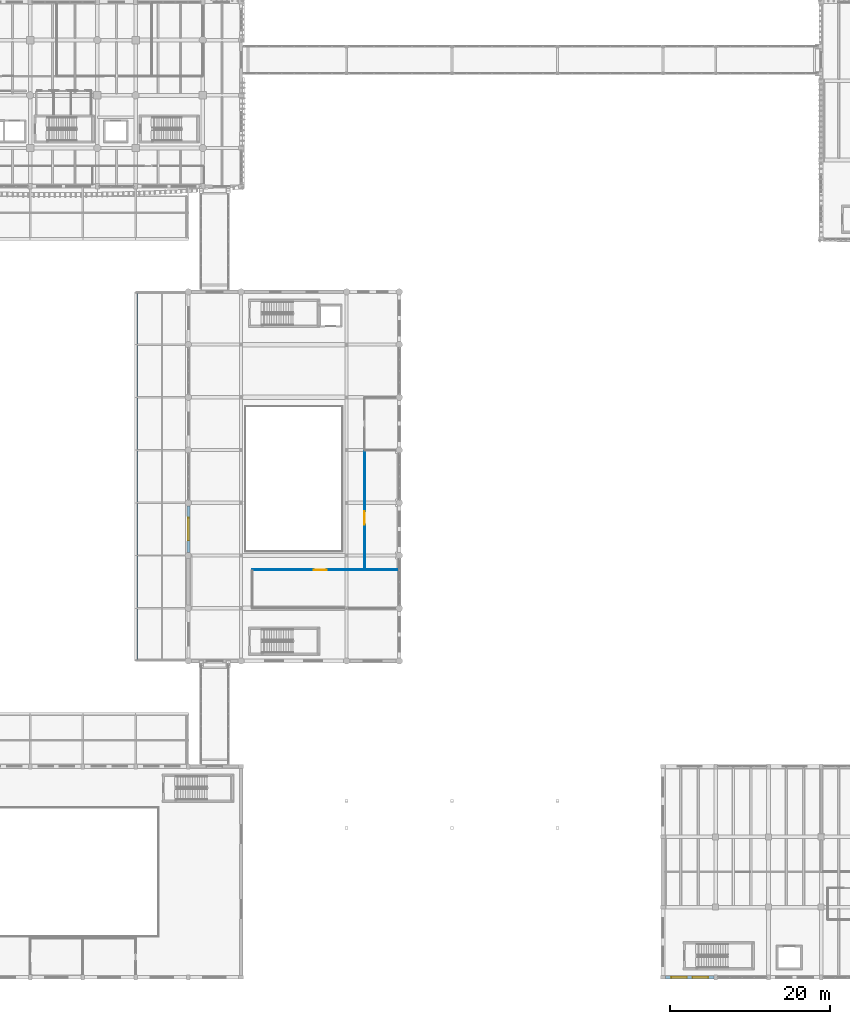
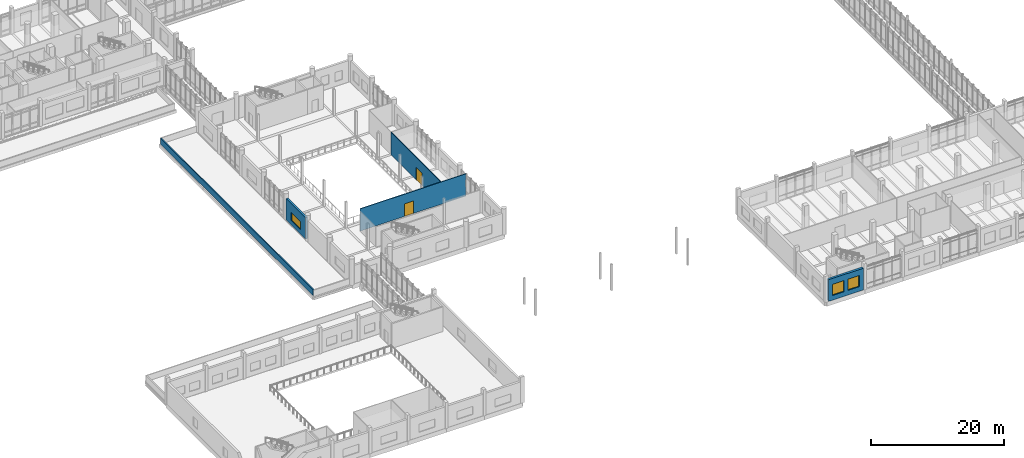
# One storey, part 88 of 125: 5 walls, 3 windows, 2 doors, 5 openings.
"""IFC4 building model written with IfcOpenShell, lengths in metres."""

import ifcopenshell
import ifcopenshell.guid

model = None  # the IFC model being written
_history = None  # IfcOwnerHistory: only IFC2X3 demands one
_inside = {}  # id of a spatial element -> (the spatial element, [elements in it])
_under = {}  # id of a project, library or spatial element -> (it, [spatial elements below it])
_declared = {}  # id of a project -> (the project, [libraries it declares])
_typed = {}  # id of a type object -> (the type object, [elements of that type])
_made_of = {}  # id of a material, layer set ... -> (it, [elements and type objects made of it])


def new_model(schema):
    """Start an empty IFC model of exactly this schema.

    Asked for "IFC4X3", IfcOpenShell would pick the latest addendum, in which some entities
    have other attributes; the version numbers below select the first issue.
    IFC2X3 requires an IfcOwnerHistory on every rooted entity: one is made here for all.
    """
    global model, _history
    if schema == "IFC4X3":
        model = ifcopenshell.file(schema_version=(4, 3, 0, 0))
    else:
        model = ifcopenshell.file(schema=schema)
    _inside.clear()
    _under.clear()
    _declared.clear()
    _typed.clear()
    _made_of.clear()
    _history = None
    if model.schema == "IFC2X3":
        org = make("IfcOrganization", Name="unknown")
        user = make(
            "IfcPersonAndOrganization",
            ThePerson=make("IfcPerson", FamilyName="unknown"),
            TheOrganization=org,
        )
        app = make(
            "IfcApplication",
            ApplicationDeveloper=org,
            Version="unknown",
            ApplicationFullName="unknown",
            ApplicationIdentifier="unknown",
        )
        _history = make(
            "IfcOwnerHistory",
            OwningUser=user,
            OwningApplication=app,
            ChangeAction="ADDED",
            CreationDate=0,
        )
    return model


def make(cls, **values):
    """One entity of the class cls with the attributes given. An attribute that is None is left unset."""
    return model.create_entity(
        cls, **{name: value for name, value in values.items() if value is not None}
    )


def rooted(cls, **values):
    """An entity with a GlobalId (a new one), such as an element, a storey or a relation."""
    return make(cls, GlobalId=ifcopenshell.guid.new(), OwnerHistory=_history, **values)


def si_unit(unit_type, name, prefix=None):
    """IfcSIUnit, for example si_unit("LENGTHUNIT", "METRE", prefix="MILLI")."""
    return make("IfcSIUnit", UnitType=unit_type, Prefix=prefix, Name=name)


def assignment(units):
    """IfcUnitAssignment: the units of a project."""
    return None if units is None else make("IfcUnitAssignment", Units=units)


def point(xyz):
    """IfcCartesianPoint."""
    return None if xyz is None else make("IfcCartesianPoint", Coordinates=xyz)


def direction(xyz):
    """IfcDirection."""
    return None if xyz is None else make("IfcDirection", DirectionRatios=xyz)


def frame(location, z_axis=None, x_axis=None):
    """IfcAxis2Placement3D, a coordinate frame: its origin and axes. An axis left out is left unset."""
    return make(
        "IfcAxis2Placement3D",
        Location=point(location),
        Axis=direction(z_axis),
        RefDirection=direction(x_axis),
    )


def frame_2d(location, x_axis=None):
    """IfcAxis2Placement2D, a coordinate frame in the plane: its origin and x axis."""
    return make(
        "IfcAxis2Placement2D", Location=point(location), RefDirection=direction(x_axis)
    )


def origin():
    """The frame at (0, 0, 0) with its axes left unset."""
    return frame((0.0, 0.0, 0.0))


def place(relative_to, where):
    """IfcLocalPlacement: puts the frame where relative to a parent placement (None: the world)."""
    return make(
        "IfcLocalPlacement", PlacementRelTo=relative_to, RelativePlacement=where
    )


def context(
    kind, dimensions, precision=None, world=None, true_north=None, identifier=None
):
    """IfcGeometricRepresentationContext, for example the 3D "Model" context."""
    return make(
        "IfcGeometricRepresentationContext",
        ContextIdentifier=identifier,
        ContextType=kind,
        CoordinateSpaceDimension=dimensions,
        Precision=precision,
        WorldCoordinateSystem=world,
        TrueNorth=true_north,
    )


def subcontext(parent, identifier, kind, view, scale=None):
    """IfcGeometricRepresentationSubContext, for example "Body" below "Model"."""
    return make(
        "IfcGeometricRepresentationSubContext",
        ContextIdentifier=identifier,
        ContextType=kind,
        ParentContext=parent,
        TargetScale=scale,
        TargetView=view,
    )


def project(units=None, contexts=None):
    """IfcProject with its units and contexts."""
    return rooted(
        "IfcProject",
        Name="project",
        RepresentationContexts=contexts,
        UnitsInContext=assignment(units),
    )


def spatial(cls, under=None, at=None, **own):
    """A site, building, storey or space (cls), placed at a placement, below another one or the project."""
    s = rooted(cls, ObjectPlacement=at, **own)
    if under is not None:
        _under.setdefault(under.id(), (under, []))[1].append(s)
    return s


def profile(cls, at=None, kind="AREA", **sizes):
    """A parametric profile (cls). Its sizes go by their IFC names, for example OverallWidth=200.0."""
    return make(cls, ProfileType=kind, Position=at, **sizes)


def rectangle(**sizes):
    """IfcRectangleProfileDef."""
    return profile("IfcRectangleProfileDef", **sizes)


def extrude(swept, where, along, depth):
    """IfcExtrudedAreaSolid: the profile swept, set in the frame where, extruded along a direction by depth."""
    return make(
        "IfcExtrudedAreaSolid",
        SweptArea=swept,
        Position=where,
        ExtrudedDirection=direction(along),
        Depth=depth,
    )


def shape(context_of_items, identifier, shape_type, items):
    """IfcShapeRepresentation: the items that make up one representation, for example the "Body"."""
    return make(
        "IfcShapeRepresentation",
        ContextOfItems=context_of_items,
        RepresentationIdentifier=identifier,
        RepresentationType=shape_type,
        Items=items,
    )


def material(Name=None, Category=None):
    """IfcMaterial."""
    return make("IfcMaterial", Name=Name, Category=Category)


def layer(
    of_material, thickness, ventilated=None, Name=None, Category=None, Priority=None
):
    """IfcMaterialLayer: one layer of a wall or slab, of a material (None: an air gap)."""
    return make(
        "IfcMaterialLayer",
        Material=of_material,
        LayerThickness=thickness,
        IsVentilated=ventilated,
        Name=Name,
        Category=Category,
        Priority=Priority,
    )


def layer_set(layers, Name=None):
    """IfcMaterialLayerSet."""
    return make("IfcMaterialLayerSet", MaterialLayers=layers, LayerSetName=Name)


def made_of(thing, what):
    """Note that an element or type object is made of a material, layer set ...; save() writes the relation."""
    if what is not None:
        _made_of.setdefault(what.id(), (what, []))[1].append(thing)
    return thing


def type_object(cls, material=None, **own):
    """A type object (cls), such as IfcWallType, which elements share."""
    return made_of(rooted(cls, **own), material)


def element(
    cls,
    number,
    at=None,
    inside=None,
    cuts=None,
    type_object=None,
    material=None,
    context=None,
    identifier="Body",
    shape_type=None,
    held_by="IfcProductDefinitionShape",
    body=None,
    shapes=None,
    **own,
):
    """One element of the class cls, such as IfcWall. Its Tag is "e" and its number.

    at: its placement. inside: the storey or other place that contains it. cuts: it is an
    opening in that element (IfcRelVoidsElement). A single representation is given by context,
    identifier, shape_type and body (its items); several are given by shapes. held_by: the class
    of the entity that holds the representations. save() writes the other relations.
    """
    e = rooted(cls, Tag="e%d" % number, ObjectPlacement=at, **own)
    if body is not None:
        shapes = [shape(context, identifier, shape_type, body)]
    if shapes is not None:
        e.Representation = make(held_by, Representations=shapes)
    if inside is not None:
        _inside.setdefault(inside.id(), (inside, []))[1].append(e)
    if cuts is not None:
        rooted(
            "IfcRelVoidsElement", RelatingBuildingElement=cuts, RelatedOpeningElement=e
        )
    if type_object is not None:
        _typed.setdefault(type_object.id(), (type_object, []))[1].append(e)
    return made_of(e, material)


def fill(opening, filler):
    """IfcRelFillsElement: the door or window that sits in an opening."""
    return rooted(
        "IfcRelFillsElement",
        RelatingOpeningElement=opening,
        RelatedBuildingElement=filler,
    )


def aggregate(whole, parts):
    """IfcRelAggregates: a whole, such as a stair, and the parts it consists of."""
    return rooted("IfcRelAggregates", RelatingObject=whole, RelatedObjects=parts)


def save(model, path):
    """Write the relations noted so far, then the file.

    IfcRelAggregates (storeys below a building ...), IfcRelContainedInSpatialStructure (elements
    in a storey), IfcRelDefinesByType, IfcRelAssociatesMaterial and IfcRelDeclares: one each for
    every whole, place, type object, material and project.
    """
    for whole, parts in _under.values():
        aggregate(whole, parts)
    for where, things in _inside.values():
        rooted(
            "IfcRelContainedInSpatialStructure",
            RelatedElements=things,
            RelatingStructure=where,
        )
    for kind, things in _typed.values():
        rooted("IfcRelDefinesByType", RelatedObjects=things, RelatingType=kind)
    for what, things in _made_of.values():
        rooted("IfcRelAssociatesMaterial", RelatedObjects=things, RelatingMaterial=what)
    for by, libraries in _declared.values():
        rooted("IfcRelDeclares", RelatingContext=by, RelatedDefinitions=libraries)
    model.write(path)


model = new_model("IFC4")

# Units and contexts
model_context = context("Model", 3, precision=1e-05, world=origin(), true_north=direction((0.0, 1.0)))
body_context = subcontext(model_context, "Body", "Model", "MODEL_VIEW")
ifc_project = project(units=[si_unit("LENGTHUNIT", "METRE"), si_unit("AREAUNIT", "SQUARE_METRE"), si_unit("VOLUMEUNIT", "CUBIC_METRE"), si_unit("PLANEANGLEUNIT", "RADIAN"), si_unit("MASSUNIT", "GRAM", prefix="KILO")], contexts=[model_context])

# Site, building, storey
site_placement = place(None, origin())
site = spatial("IfcSite", under=ifc_project, at=site_placement, CompositionType="ELEMENT")
building_placement = place(site_placement, origin())
building = spatial("IfcBuilding", under=site, at=building_placement, Name="Dornvale Research Institute", CompositionType="ELEMENT")
storey_placement = place(building_placement, frame((0.0, 0.0, 5.39990234375)))
storey = spatial("IfcBuildingStorey", under=building, at=storey_placement, Name="L01", CompositionType="ELEMENT", Elevation=5.39990234375)

# Wall
ifc_material_1 = material(Name="Concrete f'c 40 MPa (C32/40)", Category="concrete")
ifc_layer_1 = layer(ifc_material_1, 0.179931640625)
ifc_layer_set_1 = layer_set([ifc_layer_1], Name="Concrete f'c 40 MPa (C32/40)")
wall_type_1 = type_object("IfcWallType", Name="Parapet_Terrace_180", PredefinedType="PARAPET", material=ifc_layer_set_1)
wall_1_placement = place(storey_placement, frame((33.090087890625, 39.780029296875, 0.0), z_axis=(0.0, 0.0, 1.0), x_axis=(0.0, 1.0, 0.0)))
element("IfcWall", 1, at=wall_1_placement, inside=storey, type_object=wall_type_1, Name="L01 V6-E parapet W", PredefinedType="PARAPET", context=body_context, shape_type="SweptSolid", body=[
    extrude(rectangle(XDim=45.840087890625, YDim=0.179931640625, at=frame_2d((22.919921875, 0.0))), origin(), (0.0, 0.0, 1.0), 1.1201171875),
])

# Wall, opening, door
ifc_material_2 = material(Name="Acoustic Insulated Double-Stud Laboratory Partition")
ifc_layer_2 = layer(ifc_material_2, 0.1201171875)
ifc_layer_set_2 = layer_set([ifc_layer_2], Name="Acoustic Insulated Double-Stud Laboratory Partition")
wall_type_2 = type_object("IfcWallType", Name="Partition_Dry_120", PredefinedType="PARTITIONING", material=ifc_layer_set_2)
wall_2_placement = place(storey_placement, frame((47.60009765625, 51.0, 0.0), z_axis=(0.0, 0.0, 1.0), x_axis=(1.0, 0.0, 0.0)))
wall_2 = element("IfcWall", 2, at=wall_2_placement, inside=storey, type_object=wall_type_2, Name="L01 V2 interior partition #226", PredefinedType="PARTITIONING", context=body_context, shape_type="SweptSolid", body=[
    extrude(rectangle(XDim=18.35986328125, YDim=0.1201171875, at=frame_2d((9.179931640625, 0.0))), origin(), (0.0, 0.0, 1.0), 4.080078125),
])
opening_1_placement = place(wall_2_placement, frame((7.7099609375, 0.0, 0.0)))
opening_1 = element("IfcOpeningElement", 3, at=opening_1_placement, cuts=wall_2, Name="Opening ID-18", PredefinedType="OPENING", context=body_context, shape_type="SweptSolid", body=[
    extrude(rectangle(XDim=1.580078125, YDim=2.300048828125, at=frame_2d((0.7900390625, 1.14990234375))), frame((0.0, 0.074951171875, 0.0), z_axis=(0.0, -1.0, 0.0), x_axis=(1.0, 0.0, 0.0)), (0.0, 0.0, 1.0), 0.150146484375),
])
ifc_material_3 = material(Name="Phenolic-Faced Solid-Core Laboratory Door Assembly")
door_type_1 = type_object("IfcDoorType", Name="Door_Collab_1580x2300", OperationType="SINGLE_SWING_LEFT", PredefinedType="DOOR", material=ifc_material_3)
door_1_placement = place(opening_1_placement, origin())
door_1 = element("IfcDoor", 4, at=door_1_placement, inside=storey, type_object=door_type_1, Name="L01 Interdisciplinary Collaboratory L01-South door #90", OperationType="SINGLE_SWING_LEFT", OverallHeight=2.300048828125, OverallWidth=1.580078125, PredefinedType="DOOR", context=body_context, shape_type="SweptSolid", body=[
    extrude(rectangle(XDim=1.580078125, YDim=2.300048828125, at=frame_2d((0.7900390625, 1.14990234375))), frame((0.0, 0.02490234375, 0.0), z_axis=(0.0, -1.0, 0.0), x_axis=(1.0, 0.0, 0.0)), (0.0, 0.0, 1.0), 0.050048828125),
])
fill(opening_1, door_1)

wall_3_placement = place(storey_placement, frame((61.64990234375, 51.074951171875, 0.0), z_axis=(0.0, 0.0, 1.0), x_axis=(0.0, 1.0, 0.0)))
wall_3 = element("IfcWall", 5, at=wall_3_placement, inside=storey, type_object=wall_type_2, Name="L01 V2 interior partition #229", PredefinedType="PARTITIONING", context=body_context, shape_type="SweptSolid", body=[
    extrude(rectangle(XDim=14.85009765625, YDim=0.1201171875, at=frame_2d((7.425048828125, 0.0))), origin(), (0.0, 0.0, 1.0), 4.130126953125),
])
opening_2_placement = place(wall_3_placement, frame((5.5849609375, 0.0, 0.0)))
opening_2 = element("IfcOpeningElement", 6, at=opening_2_placement, cuts=wall_3, Name="Opening ID-11", PredefinedType="OPENING", context=body_context, shape_type="SweptSolid", body=[
    extrude(rectangle(XDim=1.679931640625, YDim=2.300048828125, at=frame_2d((0.83984375, 1.14990234375))), frame((0.0, 0.074951171875, 0.0), z_axis=(0.0, -1.0, 0.0), x_axis=(1.0, 0.0, 0.0)), (0.0, 0.0, 1.0), 0.150146484375),
])
ifc_material_4 = material(Name="Phenolic-Faced Solid-Core Laboratory Door Assembly")
door_type_2 = type_object("IfcDoorType", Name="Door_Seminar_1680x2300", OperationType="SINGLE_SWING_LEFT", PredefinedType="DOOR", material=ifc_material_4)
door_2_placement = place(opening_2_placement, origin())
door_2 = element("IfcDoor", 7, at=door_2_placement, inside=storey, type_object=door_type_2, Name="L01 Civic Science Seminar Room L01 door #91", OperationType="DOUBLE_DOOR_SINGLE_SWING", OverallHeight=2.300048828125, OverallWidth=1.679931640625, PredefinedType="DOOR", context=body_context, shape_type="SweptSolid", body=[
    extrude(rectangle(XDim=1.679931640625, YDim=2.300048828125, at=frame_2d((0.83984375, 1.14990234375))), frame((0.0, 0.02490234375, 0.0), z_axis=(0.0, -1.0, 0.0), x_axis=(1.0, 0.0, 0.0)), (0.0, 0.0, 1.0), 0.050048828125),
])
fill(opening_2, door_2)

# Wall, opening, window
ifc_material_5 = material(Name="Catalan Pressed Brick and Insulated Cavity Assembly", Category="masonry")
ifc_layer_3 = layer(ifc_material_5, 0.360107421875)
ifc_layer_set_3 = layer_set([ifc_layer_3], Name="Catalan Pressed Brick and Insulated Cavity Assembly")
wall_type_3 = type_object("IfcWallType", Name="StandardWall_BrickCavity_360", PredefinedType="STANDARD", material=ifc_layer_set_3)
wall_4_placement = place(storey_placement, frame((39.60009765625, 53.195068359375, 0.0), z_axis=(0.0, 0.0, 1.0), x_axis=(0.0, 1.0, 0.0)))
wall_4 = element("IfcWall", 8, at=wall_4_placement, inside=storey, type_object=wall_type_3, Name="L01 V2 west exterior wall #67", PredefinedType="STANDARD", context=body_context, shape_type="SweptSolid", body=[
    extrude(rectangle(XDim=5.809814453125, YDim=0.360107421875, at=frame_2d((2.90478515625, 0.0))), origin(), (0.0, 0.0, 1.0), 3.9501953125),
])
opening_3_placement = place(wall_4_placement, frame((1.5048828125, 0.0, 0.85009765625)))
opening_3 = element("IfcOpeningElement", 9, at=opening_3_placement, cuts=wall_4, Name="Opening W-11", PredefinedType="OPENING", context=body_context, shape_type="SweptSolid", body=[
    extrude(rectangle(XDim=2.800048828125, YDim=1.5, at=frame_2d((1.39990234375, 0.75))), frame((0.0, 0.195068359375, 0.0), z_axis=(0.0, -1.0, 0.0), x_axis=(1.0, 0.0, 0.0)), (0.0, 0.0, 1.0), 0.39013671875),
])
ifc_material_6 = material(Name="Low-E Argon Double Insulating Glazing Unit", Category="glass")
window_type_1 = type_object("IfcWindowType", Name="Window_Alu_2800x1500_11", PartitioningType="DOUBLE_PANEL_VERTICAL", PredefinedType="WINDOW", material=ifc_material_6)
window_1_placement = place(opening_3_placement, origin())
window_1 = element("IfcWindow", 10, at=window_1_placement, inside=storey, type_object=window_type_1, Name="L01 V2 facade window W-11 #81", OverallHeight=1.5, OverallWidth=2.800048828125, PartitioningType="DOUBLE_PANEL_VERTICAL", PredefinedType="WINDOW", context=body_context, shape_type="SweptSolid", body=[
    extrude(rectangle(XDim=2.800048828125, YDim=1.5, at=frame_2d((1.39990234375, 0.75))), frame((0.0, 0.030029296875, 0.0), z_axis=(0.0, -1.0, 0.0), x_axis=(1.0, 0.0, 0.0)), (0.0, 0.0, 1.0), 0.06005859375),
])
fill(opening_3, window_1)

# Wall, openings, windows
ifc_material_7 = material(Name="Precast Concrete f'c 40 MPa (C32/40) and Glazed Terracotta Backup Wall", Category="masonry")
ifc_layer_4 = layer(ifc_material_7, 0.39990234375)
ifc_layer_set_4 = layer_set([ifc_layer_4], Name="Precast Concrete f'c 40 MPa (C32/40) and Glazed Terracotta Backup Wall")
wall_type_4 = type_object("IfcWallType", Name="StandardWall_CleanroomExt_400", PredefinedType="STANDARD", material=ifc_layer_set_4)
wall_5_placement = place(storey_placement, frame((105.375, 0.0, 0.0), z_axis=(0.0, 0.0, 1.0), x_axis=(-1.0, 0.0, 0.0)))
wall_5 = element("IfcWall", 11, at=wall_5_placement, inside=storey, type_object=wall_type_4, Name="L01 V3 south exterior wall #147", PredefinedType="STANDARD", context=body_context, shape_type="SweptSolid", body=[
    extrude(rectangle(XDim=6.050048828125, YDim=0.39990234375, at=frame_2d((3.02490234375, 0.0))), origin(), (0.0, 0.0, 1.0), 3.97998046875),
])
opening_4_placement = place(wall_5_placement, frame((0.716796875, 0.0, 0.85009765625)))
opening_4 = element("IfcOpeningElement", 12, at=opening_4_placement, cuts=wall_5, Name="Opening W-30", PredefinedType="OPENING", context=body_context, shape_type="SweptSolid", body=[
    extrude(rectangle(XDim=1.949951171875, YDim=2.0400390625, at=frame_2d((0.97509765625, 1.02001953125))), frame((0.0, 0.21484375, 0.0), z_axis=(0.0, -1.0, 0.0), x_axis=(1.0, 0.0, 0.0)), (0.0, 0.0, 1.0), 0.429931640625),
])
opening_5_placement = place(wall_5_placement, frame((3.38330078125, 0.0, 0.85009765625)))
opening_5 = element("IfcOpeningElement", 13, at=opening_5_placement, cuts=wall_5, Name="Opening W-30", PredefinedType="OPENING", context=body_context, shape_type="SweptSolid", body=[
    extrude(rectangle(XDim=1.949951171875, YDim=2.0400390625, at=frame_2d((0.97509765625, 1.02001953125))), frame((0.0, 0.21484375, 0.0), z_axis=(0.0, -1.0, 0.0), x_axis=(1.0, 0.0, 0.0)), (0.0, 0.0, 1.0), 0.429931640625),
])
ifc_material_8 = material(Name="Low-E Argon Double Insulating Glazing Unit", Category="glass")
window_type_2 = type_object("IfcWindowType", Name="Window_Alu_1950x2040_30", PartitioningType="DOUBLE_PANEL_VERTICAL", PredefinedType="WINDOW", material=ifc_material_8)
window_2_placement = place(opening_4_placement, origin())
window_2 = element("IfcWindow", 14, at=window_2_placement, inside=storey, type_object=window_type_2, Name="L01 V3 facade window W-30 #188", OverallHeight=2.0400390625, OverallWidth=1.949951171875, PartitioningType="DOUBLE_PANEL_VERTICAL", PredefinedType="WINDOW", context=body_context, shape_type="SweptSolid", body=[
    extrude(rectangle(XDim=1.949951171875, YDim=2.0400390625, at=frame_2d((0.97509765625, 1.02001953125))), frame((0.0, 0.030029296875, 0.0), z_axis=(0.0, -1.0, 0.0), x_axis=(1.0, 0.0, 0.0)), (0.0, 0.0, 1.0), 0.06005859375),
])
fill(opening_4, window_2)
window_3_placement = place(opening_5_placement, origin())
window_3 = element("IfcWindow", 15, at=window_3_placement, inside=storey, type_object=window_type_2, Name="L01 V3 facade window W-30 #189", OverallHeight=2.0400390625, OverallWidth=1.949951171875, PartitioningType="DOUBLE_PANEL_VERTICAL", PredefinedType="WINDOW", context=body_context, shape_type="SweptSolid", body=[
    extrude(rectangle(XDim=1.949951171875, YDim=2.0400390625, at=frame_2d((0.97509765625, 1.02001953125))), frame((0.0, 0.030029296875, 0.0), z_axis=(0.0, -1.0, 0.0), x_axis=(1.0, 0.0, 0.0)), (0.0, 0.0, 1.0), 0.06005859375),
])
fill(opening_5, window_3)

save(model, "model.ifc")
